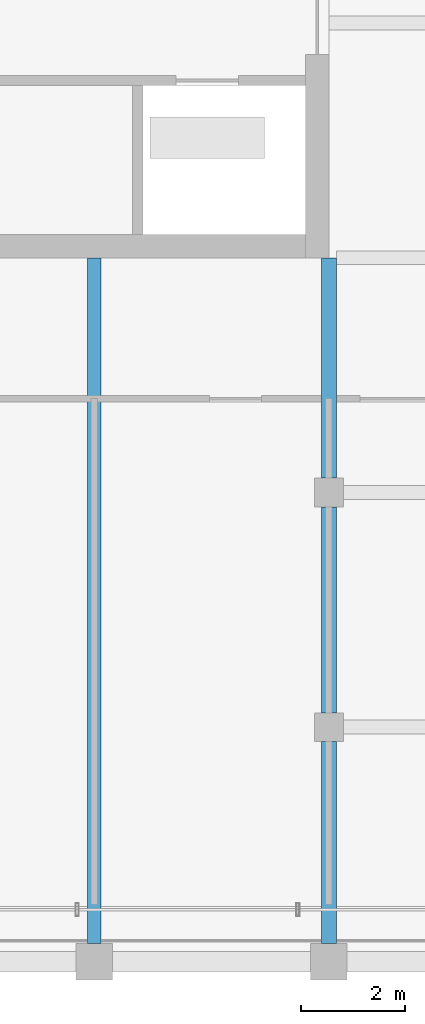
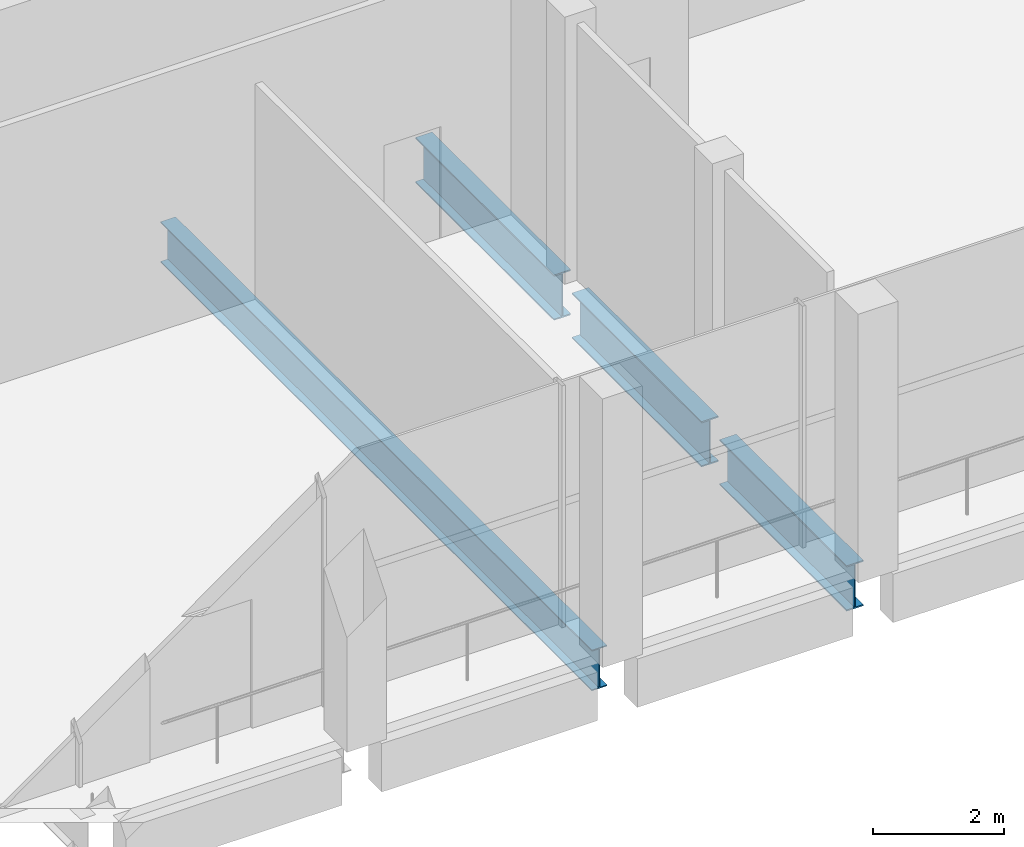
# One storey, part 6 of 14: 4 beams.
"""IFC4 building model written with IfcOpenShell, lengths in metres."""

from ifc_helpers import new_model, si_unit, direction, frame, origin, origin_2d, place, context, subcontext, project, spatial, i_section, extrude, material, material_profile, profile_set, type_object, element, save


model = new_model("IFC4")

# Units and contexts
model_context = context("Model", 3, precision=1e-05, world=origin(), true_north=direction((0.0, 1.0)))
body_context = subcontext(model_context, "Body", "Model", "MODEL_VIEW")
ifc_project = project(units=[si_unit("LENGTHUNIT", "METRE"), si_unit("AREAUNIT", "SQUARE_METRE"), si_unit("VOLUMEUNIT", "CUBIC_METRE"), si_unit("PLANEANGLEUNIT", "RADIAN"), si_unit("MASSUNIT", "GRAM", prefix="KILO")], contexts=[model_context])

# Site, building, storey
site_placement = place(None, origin())
site = spatial("IfcSite", under=ifc_project, at=site_placement, CompositionType="ELEMENT")
building_placement = place(site_placement, origin())
building = spatial("IfcBuilding", under=site, at=building_placement, Name="Altepetl Exchange Towers", CompositionType="ELEMENT")
storey_placement = place(building_placement, frame((0.0, 0.0, 269.60009765625)))
storey = spatial("IfcBuildingStorey", under=building, at=storey_placement, Name="L68 Observation gallery", CompositionType="ELEMENT", Elevation=269.60009765625)

# Beams
ifc_material = material(Name="Steel S355", Category="steel")
ifc_material_profile_1 = material_profile(ifc_material, i_section(OverallWidth=0.26611328125, OverallDepth=0.758056640625, WebThickness=0.013916015625, FlangeThickness=0.019287109375, at=origin_2d()), Name="W30X108")
ifc_profile_set_1 = profile_set([ifc_material_profile_1], Name="Steel S355")
beam_type_1 = type_object("IfcBeamType", Name="Floor beam W30X108", PredefinedType="BEAM", material=ifc_profile_set_1)
beam_1_placement = place(storey_placement, frame((54.0, 27.35009765625, -0.55419921875), z_axis=(0.0, 1.0, 0.0), x_axis=(-1.0, 0.0, 0.0)))
element("IfcBeam", 1, at=beam_1_placement, inside=storey, type_object=beam_type_1, Name="bm:A:L68:011", PredefinedType="BEAM", context=body_context, shape_type="SweptSolid", body=[
    extrude(i_section(OverallWidth=0.26611328125, OverallDepth=0.758056640625, WebThickness=0.013916015625, FlangeThickness=0.019287109375, at=origin_2d()), origin(), (0.0, 0.0, 1.0), 13.14990234375),
])
ifc_material_profile_2 = material_profile(ifc_material, i_section(OverallWidth=0.2939453125, OverallDepth=0.845947265625, WebThickness=0.015380859375, FlangeThickness=0.0244140625, at=origin_2d()), Name="W33X141")
ifc_profile_set_2 = profile_set([ifc_material_profile_2], Name="Steel S355")
beam_type_2 = type_object("IfcBeamType", Name="Girder W33X141", PredefinedType="BEAM", material=ifc_profile_set_2)
beam_2_placement = place(storey_placement, frame((58.5, 40.5, -0.59814453125), z_axis=(0.0, -1.0, 0.0), x_axis=(1.0, 0.0, 0.0)))
element("IfcBeam", 2, at=beam_2_placement, inside=storey, type_object=beam_type_2, Name="gd:A:L68:000", PredefinedType="BEAM", context=body_context, shape_type="SweptSolid", body=[
    extrude(i_section(OverallWidth=0.2939453125, OverallDepth=0.845947265625, WebThickness=0.015380859375, FlangeThickness=0.0244140625, at=origin_2d()), origin(), (0.0, 0.0, 1.0), 4.22509765625),
])
beam_3_placement = place(storey_placement, frame((58.5, 35.72509765625, -0.59814453125), z_axis=(0.0, -1.0, 0.0), x_axis=(1.0, 0.0, 0.0)))
element("IfcBeam", 3, at=beam_3_placement, inside=storey, type_object=beam_type_2, Name="gd:A:L68:001", PredefinedType="BEAM", context=body_context, shape_type="SweptSolid", body=[
    extrude(i_section(OverallWidth=0.2939453125, OverallDepth=0.845947265625, WebThickness=0.015380859375, FlangeThickness=0.0244140625, at=origin_2d()), origin(), (0.0, 0.0, 1.0), 3.9501953125),
])
beam_4_placement = place(storey_placement, frame((58.5, 31.22509765625, -0.59814453125), z_axis=(0.0, -1.0, 0.0), x_axis=(1.0, 0.0, 0.0)))
element("IfcBeam", 4, at=beam_4_placement, inside=storey, type_object=beam_type_2, Name="gd:A:L68:002", PredefinedType="BEAM", context=body_context, shape_type="SweptSolid", body=[
    extrude(i_section(OverallWidth=0.2939453125, OverallDepth=0.845947265625, WebThickness=0.015380859375, FlangeThickness=0.0244140625, at=origin_2d()), origin(), (0.0, 0.0, 1.0), 3.875),
])

save(model, "model.ifc")
